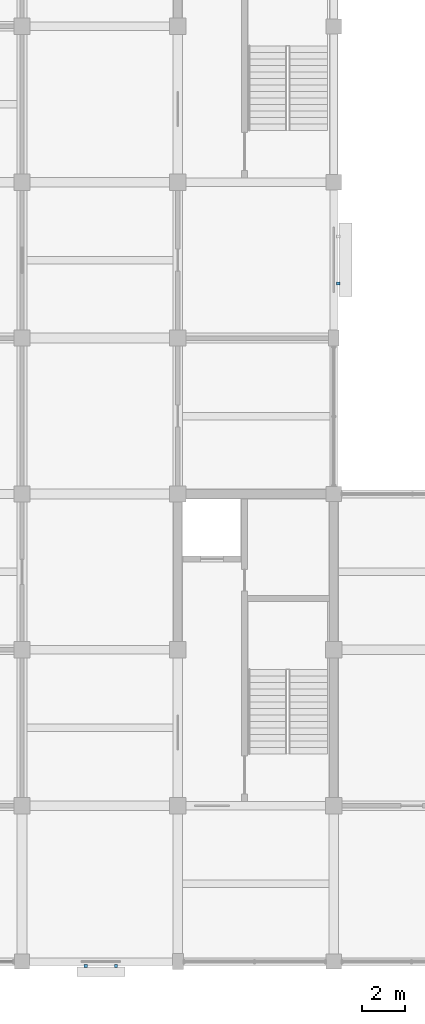
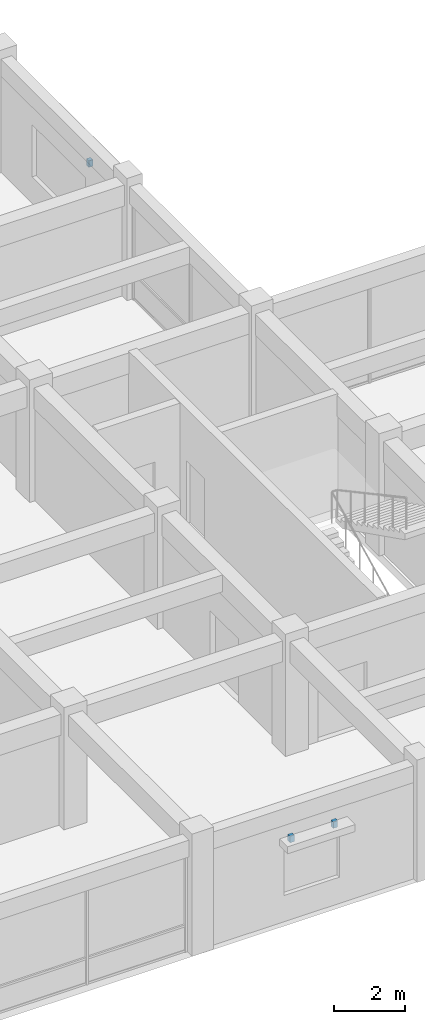
# One storey, part 27 of 31: 3 discrete accessories.
"""IFC4 building model written with IfcOpenShell, lengths in metres."""

from ifc_helpers import new_model, si_unit, direction, frame, origin, origin_2d, place, context, subcontext, project, spatial, rectangle, extrude, material, type_object, element, save


model = new_model("IFC4")

# Units and contexts
model_context = context("Model", 3, precision=1e-05, world=origin(), true_north=direction((0.0, 1.0)))
body_context = subcontext(model_context, "Body", "Model", "MODEL_VIEW")
ifc_project = project(units=[si_unit("LENGTHUNIT", "METRE"), si_unit("AREAUNIT", "SQUARE_METRE"), si_unit("VOLUMEUNIT", "CUBIC_METRE"), si_unit("PLANEANGLEUNIT", "RADIAN"), si_unit("MASSUNIT", "GRAM", prefix="KILO")], contexts=[model_context])

# Site, building, storey
site_placement = place(None, origin())
site = spatial("IfcSite", under=ifc_project, at=site_placement, CompositionType="ELEMENT")
building_placement = place(site_placement, origin())
building = spatial("IfcBuilding", under=site, at=building_placement, Name="Cendaluz Park School", CompositionType="ELEMENT")
storey_placement = place(building_placement, frame((0.0, 0.0, 14.39990234375)))
storey = spatial("IfcBuildingStorey", under=building, at=storey_placement, Name="L03", CompositionType="ELEMENT", Elevation=14.39990234375)

# Discrete accessories
ifc_material = material(Name="Steel S355", Category="steel")
discrete_accessory_type = type_object("IfcDiscreteAccessoryType", Name="BK-01", PredefinedType="BRACKET", material=ifc_material)
for number, where, z_axis, x_axis, name in (
    (1, (96.5458984375, 6.989990234375, 2.72998046875), (0.0, 0.0, 1.0), (1.0, 0.0, 0.0), "BK-L03-113"),
    (2, (97.9541015625, 6.989990234375, 2.72998046875), (0.0, 0.0, 1.0), (1.0, 0.0, 0.0), "BK-L03-114"),
    (3, (108.2099609375, 38.5244140625, 2.72998046875), (0.0, 0.0, 1.0), (0.0, 1.0, 0.0), "BK-L03-115"),
):
    element("IfcDiscreteAccessory", number, at=place(storey_placement, frame(where, z_axis=z_axis, x_axis=x_axis)), inside=storey, type_object=discrete_accessory_type, Name=name, PredefinedType="BRACKET", context=body_context, shape_type="SweptSolid", body=[
        extrude(rectangle(XDim=0.139892578125, YDim=0.139892578125, at=origin_2d()), origin(), (0.0, 0.0, 1.0), 0.219970703125),
    ])

save(model, "model.ifc")
